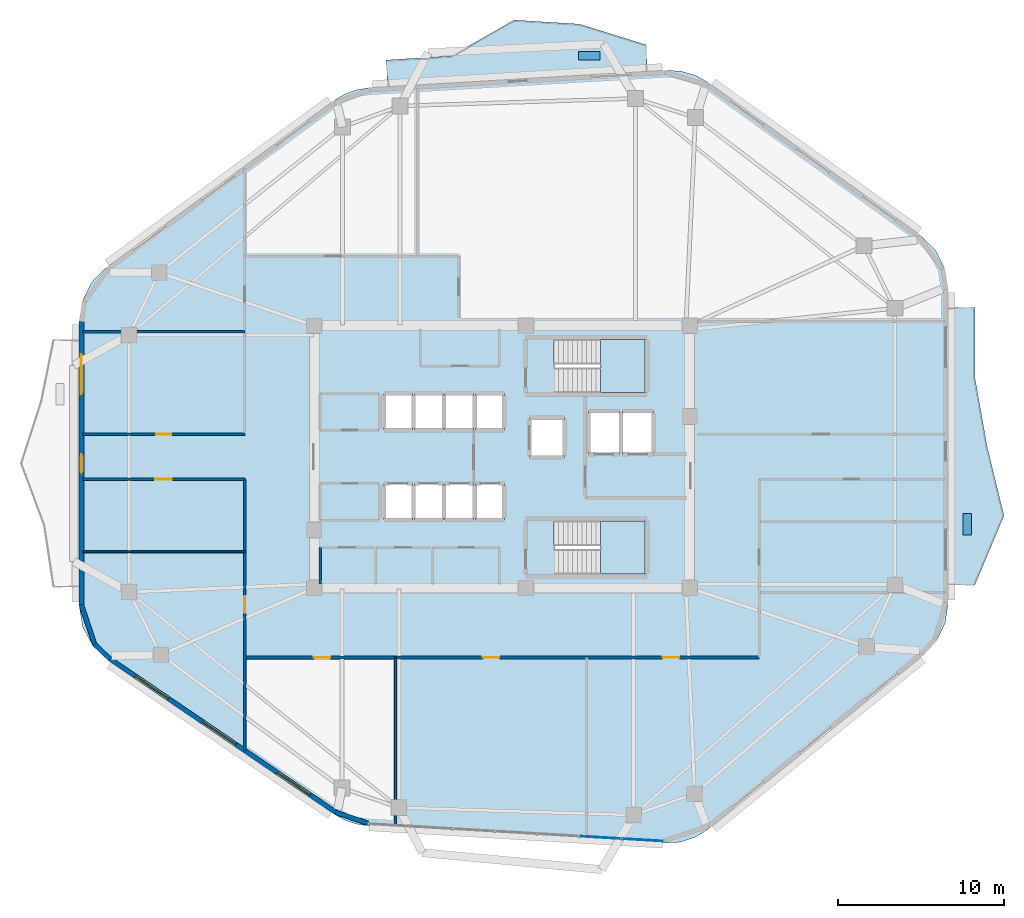
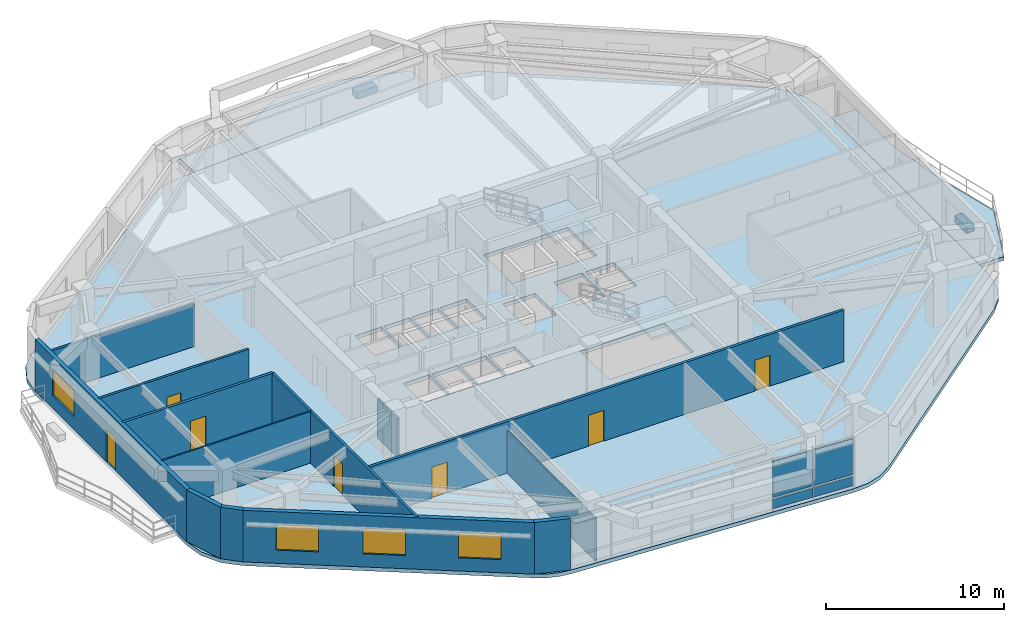
# One storey, part 8 of 14: 13 walls, 7 doors, 6 plates, 5 slabs, 4 windows, 11 openings, 3 elements without a shape of their own.
"""IFC4 building model written with IfcOpenShell, lengths in metres."""

import ifcopenshell
import ifcopenshell.guid

model = None  # the IFC model being written
_history = None  # IfcOwnerHistory: only IFC2X3 demands one
_inside = {}  # id of a spatial element -> (the spatial element, [elements in it])
_under = {}  # id of a project, library or spatial element -> (it, [spatial elements below it])
_declared = {}  # id of a project -> (the project, [libraries it declares])
_typed = {}  # id of a type object -> (the type object, [elements of that type])
_made_of = {}  # id of a material, layer set ... -> (it, [elements and type objects made of it])


def new_model(schema):
    """Start an empty IFC model of exactly this schema.

    Asked for "IFC4X3", IfcOpenShell would pick the latest addendum, in which some entities
    have other attributes; the version numbers below select the first issue.
    IFC2X3 requires an IfcOwnerHistory on every rooted entity: one is made here for all.
    """
    global model, _history
    if schema == "IFC4X3":
        model = ifcopenshell.file(schema_version=(4, 3, 0, 0))
    else:
        model = ifcopenshell.file(schema=schema)
    _inside.clear()
    _under.clear()
    _declared.clear()
    _typed.clear()
    _made_of.clear()
    _history = None
    if model.schema == "IFC2X3":
        org = make("IfcOrganization", Name="unknown")
        user = make(
            "IfcPersonAndOrganization",
            ThePerson=make("IfcPerson", FamilyName="unknown"),
            TheOrganization=org,
        )
        app = make(
            "IfcApplication",
            ApplicationDeveloper=org,
            Version="unknown",
            ApplicationFullName="unknown",
            ApplicationIdentifier="unknown",
        )
        _history = make(
            "IfcOwnerHistory",
            OwningUser=user,
            OwningApplication=app,
            ChangeAction="ADDED",
            CreationDate=0,
        )
    return model


def make(cls, **values):
    """One entity of the class cls with the attributes given. An attribute that is None is left unset."""
    return model.create_entity(
        cls, **{name: value for name, value in values.items() if value is not None}
    )


def rooted(cls, **values):
    """An entity with a GlobalId (a new one), such as an element, a storey or a relation."""
    return make(cls, GlobalId=ifcopenshell.guid.new(), OwnerHistory=_history, **values)


def si_unit(unit_type, name, prefix=None):
    """IfcSIUnit, for example si_unit("LENGTHUNIT", "METRE", prefix="MILLI")."""
    return make("IfcSIUnit", UnitType=unit_type, Prefix=prefix, Name=name)


def assignment(units):
    """IfcUnitAssignment: the units of a project."""
    return None if units is None else make("IfcUnitAssignment", Units=units)


def point(xyz):
    """IfcCartesianPoint."""
    return None if xyz is None else make("IfcCartesianPoint", Coordinates=xyz)


def direction(xyz):
    """IfcDirection."""
    return None if xyz is None else make("IfcDirection", DirectionRatios=xyz)


def frame(location, z_axis=None, x_axis=None):
    """IfcAxis2Placement3D, a coordinate frame: its origin and axes. An axis left out is left unset."""
    return make(
        "IfcAxis2Placement3D",
        Location=point(location),
        Axis=direction(z_axis),
        RefDirection=direction(x_axis),
    )


def frame_2d(location, x_axis=None):
    """IfcAxis2Placement2D, a coordinate frame in the plane: its origin and x axis."""
    return make(
        "IfcAxis2Placement2D", Location=point(location), RefDirection=direction(x_axis)
    )


def origin():
    """The frame at (0, 0, 0) with its axes left unset."""
    return frame((0.0, 0.0, 0.0))


def origin_2d():
    """The frame at (0, 0) in the plane with its x axis left unset."""
    return frame_2d((0.0, 0.0))


def place(relative_to, where):
    """IfcLocalPlacement: puts the frame where relative to a parent placement (None: the world)."""
    return make(
        "IfcLocalPlacement", PlacementRelTo=relative_to, RelativePlacement=where
    )


def context(
    kind, dimensions, precision=None, world=None, true_north=None, identifier=None
):
    """IfcGeometricRepresentationContext, for example the 3D "Model" context."""
    return make(
        "IfcGeometricRepresentationContext",
        ContextIdentifier=identifier,
        ContextType=kind,
        CoordinateSpaceDimension=dimensions,
        Precision=precision,
        WorldCoordinateSystem=world,
        TrueNorth=true_north,
    )


def subcontext(parent, identifier, kind, view, scale=None):
    """IfcGeometricRepresentationSubContext, for example "Body" below "Model"."""
    return make(
        "IfcGeometricRepresentationSubContext",
        ContextIdentifier=identifier,
        ContextType=kind,
        ParentContext=parent,
        TargetScale=scale,
        TargetView=view,
    )


def project(units=None, contexts=None):
    """IfcProject with its units and contexts."""
    return rooted(
        "IfcProject",
        Name="project",
        RepresentationContexts=contexts,
        UnitsInContext=assignment(units),
    )


def spatial(cls, under=None, at=None, **own):
    """A site, building, storey or space (cls), placed at a placement, below another one or the project."""
    s = rooted(cls, ObjectPlacement=at, **own)
    if under is not None:
        _under.setdefault(under.id(), (under, []))[1].append(s)
    return s


def polyline(points):
    """IfcPolyline through the points."""
    return make("IfcPolyline", Points=[point(p) for p in points])


def profile(cls, at=None, kind="AREA", **sizes):
    """A parametric profile (cls). Its sizes go by their IFC names, for example OverallWidth=200.0."""
    return make(cls, ProfileType=kind, Position=at, **sizes)


def rectangle(**sizes):
    """IfcRectangleProfileDef."""
    return profile("IfcRectangleProfileDef", **sizes)


def outline(outer, holes=None, kind="AREA"):
    """IfcArbitraryClosedProfileDef: a profile drawn as a closed curve; with holes, ...WithVoids."""
    if holes is None:
        return make("IfcArbitraryClosedProfileDef", ProfileType=kind, OuterCurve=outer)
    return make(
        "IfcArbitraryProfileDefWithVoids",
        ProfileType=kind,
        OuterCurve=outer,
        InnerCurves=holes,
    )


def extrude(swept, where, along, depth):
    """IfcExtrudedAreaSolid: the profile swept, set in the frame where, extruded along a direction by depth."""
    return make(
        "IfcExtrudedAreaSolid",
        SweptArea=swept,
        Position=where,
        ExtrudedDirection=direction(along),
        Depth=depth,
    )


def shape(context_of_items, identifier, shape_type, items):
    """IfcShapeRepresentation: the items that make up one representation, for example the "Body"."""
    return make(
        "IfcShapeRepresentation",
        ContextOfItems=context_of_items,
        RepresentationIdentifier=identifier,
        RepresentationType=shape_type,
        Items=items,
    )


def material(Name=None, Category=None):
    """IfcMaterial."""
    return make("IfcMaterial", Name=Name, Category=Category)


def layer(
    of_material, thickness, ventilated=None, Name=None, Category=None, Priority=None
):
    """IfcMaterialLayer: one layer of a wall or slab, of a material (None: an air gap)."""
    return make(
        "IfcMaterialLayer",
        Material=of_material,
        LayerThickness=thickness,
        IsVentilated=ventilated,
        Name=Name,
        Category=Category,
        Priority=Priority,
    )


def layer_set(layers, Name=None):
    """IfcMaterialLayerSet."""
    return make("IfcMaterialLayerSet", MaterialLayers=layers, LayerSetName=Name)


def made_of(thing, what):
    """Note that an element or type object is made of a material, layer set ...; save() writes the relation."""
    if what is not None:
        _made_of.setdefault(what.id(), (what, []))[1].append(thing)
    return thing


def type_object(cls, material=None, **own):
    """A type object (cls), such as IfcWallType, which elements share."""
    return made_of(rooted(cls, **own), material)


def element(
    cls,
    number,
    at=None,
    inside=None,
    cuts=None,
    type_object=None,
    material=None,
    context=None,
    identifier="Body",
    shape_type=None,
    held_by="IfcProductDefinitionShape",
    body=None,
    shapes=None,
    **own,
):
    """One element of the class cls, such as IfcWall. Its Tag is "e" and its number.

    at: its placement. inside: the storey or other place that contains it. cuts: it is an
    opening in that element (IfcRelVoidsElement). A single representation is given by context,
    identifier, shape_type and body (its items); several are given by shapes. held_by: the class
    of the entity that holds the representations. save() writes the other relations.
    """
    e = rooted(cls, Tag="e%d" % number, ObjectPlacement=at, **own)
    if body is not None:
        shapes = [shape(context, identifier, shape_type, body)]
    if shapes is not None:
        e.Representation = make(held_by, Representations=shapes)
    if inside is not None:
        _inside.setdefault(inside.id(), (inside, []))[1].append(e)
    if cuts is not None:
        rooted(
            "IfcRelVoidsElement", RelatingBuildingElement=cuts, RelatedOpeningElement=e
        )
    if type_object is not None:
        _typed.setdefault(type_object.id(), (type_object, []))[1].append(e)
    return made_of(e, material)


def fill(opening, filler):
    """IfcRelFillsElement: the door or window that sits in an opening."""
    return rooted(
        "IfcRelFillsElement",
        RelatingOpeningElement=opening,
        RelatedBuildingElement=filler,
    )


def aggregate(whole, parts):
    """IfcRelAggregates: a whole, such as a stair, and the parts it consists of."""
    return rooted("IfcRelAggregates", RelatingObject=whole, RelatedObjects=parts)


def save(model, path):
    """Write the relations noted so far, then the file.

    IfcRelAggregates (storeys below a building ...), IfcRelContainedInSpatialStructure (elements
    in a storey), IfcRelDefinesByType, IfcRelAssociatesMaterial and IfcRelDeclares: one each for
    every whole, place, type object, material and project.
    """
    for whole, parts in _under.values():
        aggregate(whole, parts)
    for where, things in _inside.values():
        rooted(
            "IfcRelContainedInSpatialStructure",
            RelatedElements=things,
            RelatingStructure=where,
        )
    for kind, things in _typed.values():
        rooted("IfcRelDefinesByType", RelatedObjects=things, RelatingType=kind)
    for what, things in _made_of.values():
        rooted("IfcRelAssociatesMaterial", RelatedObjects=things, RelatingMaterial=what)
    for by, libraries in _declared.values():
        rooted("IfcRelDeclares", RelatingContext=by, RelatedDefinitions=libraries)
    model.write(path)


model = new_model("IFC4")

# Units and contexts
model_context = context("Model", 3, precision=1e-05, world=origin(), true_north=direction((0.0, 1.0)))
body_context = subcontext(model_context, "Body", "Model", "MODEL_VIEW")
ifc_project = project(units=[si_unit("LENGTHUNIT", "METRE"), si_unit("AREAUNIT", "SQUARE_METRE"), si_unit("VOLUMEUNIT", "CUBIC_METRE"), si_unit("PLANEANGLEUNIT", "RADIAN"), si_unit("MASSUNIT", "GRAM", prefix="KILO")], contexts=[model_context])

# Site, building, storey
site_placement = place(None, origin())
site = spatial("IfcSite", under=ifc_project, at=site_placement, CompositionType="ELEMENT")
building_placement = place(site_placement, origin())
building = spatial("IfcBuilding", under=site, at=building_placement, Name="Zulverin Broadcast Headquarters", CompositionType="ELEMENT")
storey_placement = place(building_placement, frame((0.0, 0.0, 208.60009765625)))
storey = spatial("IfcBuildingStorey", under=building, at=storey_placement, Name="L53", CompositionType="ELEMENT", Elevation=208.60009765625)

# Curtain wall, plates
ifc_material_1 = material(Name="Waist wind-pressure unitised curtain wall", Category="aluminium")
curtain_wall_type = type_object("IfcCurtainWallType", Name="CW-TWR-WST", PredefinedType="USERDEFINED", material=ifc_material_1)
curtain_wall_placement = place(storey_placement, origin())
curtain_wall = element("IfcCurtainWall", 1, at=curtain_wall_placement, inside=storey, type_object=curtain_wall_type, Name="L53 Unitised Curtain Wall CW-L53-E1", ObjectType="UNITISED CURTAIN WALL", PredefinedType="USERDEFINED")
ifc_material_2 = material(Name="Low-E double-glazed pale-silver vision glass", Category="glass")
ifc_layer_1 = layer(ifc_material_2, 0.035888671875, Name="Low-E double-glazed pale-silver vision glass", Category="glass")
ifc_layer_set_1 = layer_set([ifc_layer_1], Name="Low-E double-glazed pale-silver vision glass")
plate_type_1 = type_object("IfcPlateType", Name="CW-PNL-GLZ", PredefinedType="CURTAIN_PANEL", material=ifc_layer_set_1)
plate_1_placement = place(storey_placement, frame((42.912109375, 2.334716796875, 0.91455078125), z_axis=(0.0, 0.0, 1.0), x_axis=(0.998274435348, -0.058720965002, 0.0)))
plate_1 = element("IfcPlate", 2, at=plate_1_placement, type_object=plate_type_1, Name="CW-L53-E1 Vision Panel 05", PredefinedType="CURTAIN_PANEL", context=body_context, shape_type="SweptSolid", body=[
    extrude(rectangle(XDim=2.500244140625, YDim=0.035888671875, at=origin_2d()), origin(), (0.0, 0.0, 1.0), 2.4853515625),
])
plate_2_placement = place(storey_placement, frame((45.447998046875, 2.185302734375, 0.91455078125), z_axis=(0.0, 0.0, 1.0), x_axis=(0.998274435348, -0.058720965002, 0.0)))
plate_2 = element("IfcPlate", 3, at=plate_2_placement, type_object=plate_type_1, Name="CW-L53-E1 Vision Panel 06", PredefinedType="CURTAIN_PANEL", context=body_context, shape_type="SweptSolid", body=[
    extrude(rectangle(XDim=2.500244140625, YDim=0.035888671875, at=origin_2d()), origin(), (0.0, 0.0, 1.0), 2.4853515625),
])
ifc_material_3 = material(Name="Insulated brushed pale-aluminium spandrel cassette", Category="aluminium")
ifc_layer_2 = layer(ifc_material_3, 0.050048828125, Name="Insulated brushed pale-aluminium spandrel cassette", Category="aluminium")
ifc_layer_set_2 = layer_set([ifc_layer_2], Name="Insulated brushed pale-aluminium spandrel cassette")
plate_type_2 = type_object("IfcPlateType", Name="CW-PNL-SPN", PredefinedType="CURTAIN_PANEL", material=ifc_layer_set_2)
plate_3_placement = place(storey_placement, frame((42.912109375, 2.334716796875, 0.139892578125), z_axis=(0.0, 0.0, 1.0), x_axis=(0.998274435348, -0.058720965002, 0.0)))
plate_3 = element("IfcPlate", 4, at=plate_3_placement, type_object=plate_type_2, Name="CW-L53-E1 Spandrel Cassette 05", PredefinedType="CURTAIN_PANEL", context=body_context, shape_type="SweptSolid", body=[
    extrude(rectangle(XDim=2.500244140625, YDim=0.050048828125, at=origin_2d()), origin(), (0.0, 0.0, 1.0), 0.64453125),
])
plate_4_placement = place(storey_placement, frame((45.447998046875, 2.185302734375, 0.139892578125), z_axis=(0.0, 0.0, 1.0), x_axis=(0.998274435348, -0.058720965002, 0.0)))
plate_4 = element("IfcPlate", 5, at=plate_4_placement, type_object=plate_type_2, Name="CW-L53-E1 Spandrel Cassette 06", PredefinedType="CURTAIN_PANEL", context=body_context, shape_type="SweptSolid", body=[
    extrude(rectangle(XDim=2.500244140625, YDim=0.050048828125, at=origin_2d()), origin(), (0.0, 0.0, 1.0), 0.64453125),
])
aggregate(curtain_wall, [plate_3, plate_1, plate_4, plate_2])

# Plates
ifc_material_4 = material(Name="Precast concrete C45/55", Category="concrete")
ifc_layer_3 = layer(ifc_material_4, 0.449951171875, Name="Precast concrete C45/55", Category="concrete")
ifc_layer_set_3 = layer_set([ifc_layer_3], Name="Precast concrete C45/55")
plate_type_3 = type_object("IfcPlateType", Name="PT-01_PRECAST_GFRC_TREE_PLANTER", PredefinedType="USERDEFINED", material=ifc_layer_set_3)
for number, where, z_axis, x_axis, name in (
    (6, (64.949951171875, 21.1591796875, -0.0048828125), (0.0, 0.0, 1.0), (0.0, 1.0, 0.0), "L53 Precast GFRC Tree Planter BAL_E"),
    (7, (42.239013671875, 49.298095703125, -0.0048828125), (0.0, 0.0, 1.0), (1.0, 0.0, 0.0), "L53 Precast GFRC Tree Planter BAL_N"),
):
    element("IfcPlate", number, at=place(storey_placement, frame(where, z_axis=z_axis, x_axis=x_axis)), inside=storey, type_object=plate_type_3, Name=name, ObjectType="PLANTER", PredefinedType="USERDEFINED", context=body_context, shape_type="SweptSolid", body=[
        extrude(rectangle(XDim=1.300048828125, YDim=0.5, at=origin_2d()), origin(), (0.0, 0.0, 1.0), 0.449951171875),
    ])

# Slabs
ifc_material_5 = material(Name="Concrete C40/50", Category="concrete")
ifc_layer_4 = layer(ifc_material_5, 0.260009765625, Name="Concrete C40/50", Category="concrete")
ifc_layer_set_4 = layer_set([ifc_layer_4], Name="Concrete C40/50")
slab_type_1 = type_object("IfcSlabType", Name="SLB-BAL-260", PredefinedType="FLOOR", material=ifc_layer_set_4)
slab_1_placement = place(storey_placement, frame((0.0, 0.0, -0.260009765625)))
element("IfcSlab", 8, at=slab_1_placement, inside=storey, type_object=slab_type_1, Name="L53 Cantilevered Planted Balcony Slab BAL_E", PredefinedType="FLOOR", context=body_context, shape_type="SweptSolid", body=[
    extrude(outline(polyline([(63.800048828125, 34.166259765625), (63.800048828125, 17.490478515625), (65.39990234375, 17.490478515625), (67.154052734375, 21.6591796875), (66.14111328125, 25.828369140625), (65.39990234375, 29.997314453125), (65.39990234375, 34.166259765625), (63.800048828125, 34.166259765625)])), origin(), (0.0, 0.0, 1.0), 0.260009765625),
])
slab_2_placement = place(storey_placement, frame((0.0, 0.0, -0.260009765625)))
element("IfcSlab", 9, at=slab_2_placement, inside=storey, type_object=slab_type_1, Name="L53 Cantilevered Planted Balcony Slab BAL_N", PredefinedType="FLOOR", context=body_context, shape_type="SweptSolid", body=[
    extrude(outline(polyline([(30.1337890625, 47.43408203125), (45.739990234375, 48.35205078125), (45.64599609375, 49.94921875), (41.65771484375, 51.192138671875), (37.728515625, 51.43701171875), (33.940673828125, 49.27392578125), (30.039794921875, 49.03125), (30.1337890625, 47.43408203125)])), origin(), (0.0, 0.0, 1.0), 0.260009765625),
])

# Stair, slab
stair_type = type_object("IfcStairType", Name="ST-CORE-1500", PredefinedType="HALF_TURN_STAIR", material=ifc_material_5)
stair_1_placement = place(storey_placement, origin())
stair_1 = element("IfcStair", 10, at=stair_1_placement, inside=storey, type_object=stair_type, Name="L53 Core Exit Stair ST-1", PredefinedType="HALF_TURN_STAIR")
ifc_layer_5 = layer(ifc_material_5, 0.199951171875, Name="Concrete C40/50", Category="concrete")
ifc_layer_set_5 = layer_set([ifc_layer_5], Name="Concrete C40/50")
slab_type_2 = type_object("IfcSlabType", Name="SLB-ST-LND200", PredefinedType="LANDING", material=ifc_layer_set_5)
slab_3_placement = place(storey_placement, frame((0.0, 0.0, 1.699951171875)))
slab_3 = element("IfcSlab", 11, at=slab_3_placement, type_object=slab_type_2, Name="ST-1 landing 1", PredefinedType="LANDING", context=body_context, shape_type="SweptSolid", body=[
    extrude(outline(polyline([(42.929931640625, 29.050048828125), (45.60009765625, 29.050048828125), (45.60009765625, 32.25), (42.929931640625, 32.25), (42.929931640625, 29.050048828125)])), origin(), (0.0, 0.0, 1.0), 0.199951171875),
])
aggregate(stair_1, [slab_3])

stair_2_placement = place(storey_placement, origin())
stair_2 = element("IfcStair", 12, at=stair_2_placement, inside=storey, type_object=stair_type, Name="L53 Core Exit Stair ST-2", PredefinedType="HALF_TURN_STAIR")
slab_4_placement = place(storey_placement, frame((0.0, 0.0, 1.699951171875)))
slab_4 = element("IfcSlab", 13, at=slab_4_placement, type_object=slab_type_2, Name="ST-2 landing 1", PredefinedType="LANDING", context=body_context, shape_type="SweptSolid", body=[
    extrude(outline(polyline([(42.929931640625, 18.14990234375), (45.60009765625, 18.14990234375), (45.60009765625, 21.35009765625), (42.929931640625, 21.35009765625), (42.929931640625, 18.14990234375)])), origin(), (0.0, 0.0, 1.0), 0.199951171875),
])
aggregate(stair_2, [slab_4])

# Slab
ifc_layer_6 = layer(ifc_material_5, 0.260009765625, Name="Concrete C40/50", Category="concrete")
ifc_layer_set_6 = layer_set([ifc_layer_6], Name="Concrete C40/50")
slab_type_3 = type_object("IfcSlabType", Name="SLB-TWR-260", PredefinedType="FLOOR", material=ifc_layer_set_6)
slab_5_placement = place(storey_placement, frame((0.0, 0.0, -0.260009765625)))
element("IfcSlab", 14, at=slab_5_placement, inside=storey, type_object=slab_type_3, Name="L53 Main Structural Floor Slab", PredefinedType="FLOOR", context=body_context, shape_type="SweptSolid", body=[
    extrude(outline(polyline([(26.943603515625, 3.72021484375), (27.570068359375, 3.3720703125), (28.24853515625, 3.14111328125), (28.95751953125, 3.03515625), (46.708984375, 1.990966796875), (47.690185546875, 2.05419921875), (48.626220703125, 2.35498046875), (49.46044921875, 2.875), (62.316650390625, 13.28125), (63.11572265625, 14.1533203125), (63.625, 15.220703125), (63.800048828125, 16.390380859375), (63.800048828125, 35.26611328125), (63.602294921875, 36.50830078125), (63.02880859375, 37.627197265625), (62.13623046875, 38.51318359375), (49.408935546875, 47.67041015625), (48.61669921875, 48.113525390625), (47.74462890625, 48.36669921875), (46.837890625, 48.41650390625), (29.03564453125, 47.369384765625), (28.27978515625, 47.251708984375), (27.560302734375, 46.9921875), (26.9033203125, 46.6005859375), (13.23291015625, 36.564697265625), (12.356201171875, 35.680908203125), (11.793701171875, 34.570068359375), (11.60009765625, 33.34033203125), (11.60009765625, 16.267578125), (11.808837890625, 14.991943359375), (12.413818359375, 13.849365234375), (13.351318359375, 12.95947265625), (26.943603515625, 3.72021484375)]), holes=[polyline([(40.155029296875, 30.75), (40.130126953125, 30.75), (40.130126953125, 32.25), (45.60009765625, 32.25), (45.60009765625, 29.050048828125), (40.155029296875, 29.050048828125), (40.155029296875, 30.75)]), polyline([(40.155029296875, 19.85009765625), (40.130126953125, 19.85009765625), (40.130126953125, 21.35009765625), (45.60009765625, 21.35009765625), (45.60009765625, 18.14990234375), (40.155029296875, 18.14990234375), (40.155029296875, 19.85009765625)]), polyline([(29.89990234375, 21.39990234375), (31.6201171875, 21.39990234375), (31.6201171875, 23.60009765625), (29.89990234375, 23.60009765625), (29.89990234375, 21.39990234375)]), polyline([(31.739990234375, 21.39990234375), (33.4599609375, 21.39990234375), (33.4599609375, 23.60009765625), (31.739990234375, 23.60009765625), (31.739990234375, 21.39990234375)]), polyline([(33.580078125, 21.39990234375), (35.300048828125, 21.39990234375), (35.300048828125, 23.60009765625), (33.580078125, 23.60009765625), (33.580078125, 21.39990234375)]), polyline([(35.419921875, 21.39990234375), (37.139892578125, 21.39990234375), (37.139892578125, 23.60009765625), (35.419921875, 23.60009765625), (35.419921875, 21.39990234375)]), polyline([(29.89990234375, 26.800048828125), (31.6201171875, 26.800048828125), (31.6201171875, 29.0), (29.89990234375, 29.0), (29.89990234375, 26.800048828125)]), polyline([(31.739990234375, 26.800048828125), (33.4599609375, 26.800048828125), (33.4599609375, 29.0), (31.739990234375, 29.0), (31.739990234375, 26.800048828125)]), polyline([(33.580078125, 26.800048828125), (35.300048828125, 26.800048828125), (35.300048828125, 29.0), (33.580078125, 29.0), (33.580078125, 26.800048828125)]), polyline([(35.419921875, 26.800048828125), (37.139892578125, 26.800048828125), (37.139892578125, 29.0), (35.419921875, 29.0), (35.419921875, 26.800048828125)]), polyline([(42.199951171875, 25.35009765625), (44.050048828125, 25.35009765625), (44.050048828125, 27.949951171875), (42.199951171875, 27.949951171875), (42.199951171875, 25.35009765625)]), polyline([(44.25, 25.35009765625), (46.10009765625, 25.35009765625), (46.10009765625, 27.949951171875), (44.25, 27.949951171875), (44.25, 25.35009765625)]), polyline([(38.64990234375, 25.14990234375), (40.75, 25.14990234375), (40.75, 27.550048828125), (38.64990234375, 27.550048828125), (38.64990234375, 25.14990234375)])]), origin(), (0.0, 0.0, 1.0), 0.260009765625),
])

# Wall, openings, door, window
ifc_material_6 = material(Name="Insulated pale-metal clad concrete spandrel C40/50", Category="concrete")
ifc_layer_7 = layer(ifc_material_6, 0.280029296875, Name="Insulated pale-metal clad concrete spandrel C40/50", Category="concrete")
ifc_layer_set_7 = layer_set([ifc_layer_7], Name="Insulated pale-metal clad concrete spandrel C40/50")
wall_type_1 = type_object("IfcWallType", Name="WL-EXT-280", PredefinedType="STANDARD", material=ifc_layer_set_7)
wall_1_placement = place(storey_placement, frame((11.739990234375, 33.34033203125, 0.0), z_axis=(0.0, 0.0, 1.0), x_axis=(0.0, -1.0, 0.0)))
wall_1 = element("IfcWall", 15, at=wall_1_placement, inside=storey, type_object=wall_type_1, Name="L53 Pale-Metal Clad Spandrel Wall 7", PredefinedType="STANDARD", context=body_context, shape_type="SweptSolid", body=[
    extrude(rectangle(XDim=17.07275390625, YDim=0.280029296875, at=frame_2d((8.536376953125, 0.0))), origin(), (0.0, 0.0, 1.0), 3.539794921875),
])
opening_1_placement = place(wall_1_placement, frame((7.986328125, 0.0, 0.0)))
opening_1 = element("IfcOpeningElement", 16, at=opening_1_placement, cuts=wall_1, Name="Opening D-L53-TR7", PredefinedType="OPENING", context=body_context, shape_type="SweptSolid", body=[
    extrude(rectangle(XDim=1.10009765625, YDim=2.199951171875, at=frame_2d((0.550048828125, 1.10009765625))), frame((0.0, 0.14990234375, 0.0), z_axis=(0.0, -1.0, 0.0), x_axis=(1.0, 0.0, 0.0)), (0.0, 0.0, 1.0), 0.300048828125),
])
opening_2_placement = place(wall_1_placement, frame((1.978759765625, 0.0, 0.89990234375)))
opening_2 = element("IfcOpeningElement", 17, at=opening_2_placement, cuts=wall_1, Name="Opening W-L53-E71", PredefinedType="OPENING", context=body_context, shape_type="SweptSolid", body=[
    extrude(rectangle(XDim=2.39990234375, YDim=1.75, at=frame_2d((1.199951171875, 0.875))), frame((0.0, 0.14990234375, 0.0), z_axis=(0.0, -1.0, 0.0), x_axis=(1.0, 0.0, 0.0)), (0.0, 0.0, 1.0), 0.300048828125),
])
ifc_material_7 = material(Name="Thermally broken aluminium glazed", Category="aluminium")
door_type_1 = type_object("IfcDoorType", Name="DR-TERR-1100", OperationType="SINGLE_SWING_RIGHT", PredefinedType="DOOR", material=ifc_material_7)
door_1_placement = place(opening_1_placement, origin())
door_1 = element("IfcDoor", 18, at=door_1_placement, inside=storey, type_object=door_type_1, Name="L53 Planted Terrace Glazed Access Door 7", OperationType="SINGLE_SWING_RIGHT", OverallHeight=2.199951171875, OverallWidth=1.10009765625, PredefinedType="DOOR", context=body_context, shape_type="SweptSolid", body=[
    extrude(rectangle(XDim=1.10009765625, YDim=2.199951171875, at=frame_2d((0.550048828125, 1.10009765625))), frame((0.0, 0.02490234375, 0.0), z_axis=(0.0, -1.0, 0.0), x_axis=(1.0, 0.0, 0.0)), (0.0, 0.0, 1.0), 0.050048828125),
])
fill(opening_1, door_1)
ifc_material_8 = material(Name="Pale anodized aluminium frame with solar-control low-E double glazing", Category="aluminium")
window_type = type_object("IfcWindowType", Name="WIN-RIB-2400", PartitioningType="SINGLE_PANEL", PredefinedType="WINDOW", material=ifc_material_8)
window_1_placement = place(opening_2_placement, origin())
window_1 = element("IfcWindow", 19, at=window_1_placement, inside=storey, type_object=window_type, Name="L53 Ribbon Glazing Window 7 1", OverallHeight=1.75, OverallWidth=2.39990234375, PartitioningType="SINGLE_PANEL", PredefinedType="WINDOW", context=body_context, shape_type="SweptSolid", body=[
    extrude(rectangle(XDim=2.39990234375, YDim=1.75, at=frame_2d((1.199951171875, 0.875))), frame((0.0, 0.030029296875, 0.0), z_axis=(0.0, -1.0, 0.0), x_axis=(1.0, 0.0, 0.0)), (0.0, 0.0, 1.0), 0.06005859375),
])
fill(opening_2, window_1)

# Wall, openings, windows
wall_2_placement = place(storey_placement, frame((13.429931640625, 13.0751953125, 0.0), z_axis=(0.0, 0.0, 1.0), x_axis=(0.827025402003, -0.562164552815, 0.0)))
wall_2 = element("IfcWall", 20, at=wall_2_placement, inside=storey, type_object=wall_type_1, Name="L53 Pale-Metal Clad Spandrel Wall 8", PredefinedType="STANDARD", context=body_context, shape_type="SweptSolid", body=[
    extrude(rectangle(XDim=16.43505859375, YDim=0.280029296875, at=frame_2d((8.217529296875, 0.0))), origin(), (0.0, 0.0, 1.0), 3.539794921875),
])
opening_3_placement = place(wall_2_placement, frame((1.87255859375, 0.0, 0.89990234375)))
opening_3 = element("IfcOpeningElement", 21, at=opening_3_placement, cuts=wall_2, Name="Opening W-L53-E81", PredefinedType="OPENING", context=body_context, shape_type="SweptSolid", body=[
    extrude(rectangle(XDim=2.39990234375, YDim=1.75, at=frame_2d((1.199951171875, 0.875))), frame((0.0, 0.14990234375, 0.0), z_axis=(0.0, -1.0, 0.0), x_axis=(1.0, 0.0, 0.0)), (0.0, 0.0, 1.0), 0.300048828125),
])
opening_4_placement = place(wall_2_placement, frame((6.767578125, 0.0, 0.89990234375)))
opening_4 = element("IfcOpeningElement", 22, at=opening_4_placement, cuts=wall_2, Name="Opening W-L53-E82", PredefinedType="OPENING", context=body_context, shape_type="SweptSolid", body=[
    extrude(rectangle(XDim=2.39990234375, YDim=1.75, at=frame_2d((1.199951171875, 0.875))), frame((0.0, 0.14990234375, 0.0), z_axis=(0.0, -1.0, 0.0), x_axis=(1.0, 0.0, 0.0)), (0.0, 0.0, 1.0), 0.300048828125),
])
opening_5_placement = place(wall_2_placement, frame((12.16259765625, 0.0, 0.89990234375)))
opening_5 = element("IfcOpeningElement", 23, at=opening_5_placement, cuts=wall_2, Name="Opening W-L53-E83", PredefinedType="OPENING", context=body_context, shape_type="SweptSolid", body=[
    extrude(rectangle(XDim=2.39990234375, YDim=1.75, at=frame_2d((1.199951171875, 0.875))), frame((0.0, 0.14990234375, 0.0), z_axis=(0.0, -1.0, 0.0), x_axis=(1.0, 0.0, 0.0)), (0.0, 0.0, 1.0), 0.300048828125),
])
window_2_placement = place(opening_3_placement, origin())
window_2 = element("IfcWindow", 24, at=window_2_placement, inside=storey, type_object=window_type, Name="L53 Ribbon Glazing Window 8 1", OverallHeight=1.75, OverallWidth=2.39990234375, PartitioningType="SINGLE_PANEL", PredefinedType="WINDOW", context=body_context, shape_type="SweptSolid", body=[
    extrude(rectangle(XDim=2.39990234375, YDim=1.75, at=frame_2d((1.199951171875, 0.875))), frame((0.0, 0.030029296875, 0.0), z_axis=(0.0, -1.0, 0.0), x_axis=(1.0, 0.0, 0.0)), (0.0, 0.0, 1.0), 0.06005859375),
])
fill(opening_3, window_2)
window_3_placement = place(opening_4_placement, origin())
window_3 = element("IfcWindow", 25, at=window_3_placement, inside=storey, type_object=window_type, Name="L53 Ribbon Glazing Window 8 2", OverallHeight=1.75, OverallWidth=2.39990234375, PartitioningType="SINGLE_PANEL", PredefinedType="WINDOW", context=body_context, shape_type="SweptSolid", body=[
    extrude(rectangle(XDim=2.39990234375, YDim=1.75, at=frame_2d((1.199951171875, 0.875))), frame((0.0, 0.030029296875, 0.0), z_axis=(0.0, -1.0, 0.0), x_axis=(1.0, 0.0, 0.0)), (0.0, 0.0, 1.0), 0.06005859375),
])
fill(opening_4, window_3)
window_4_placement = place(opening_5_placement, origin())
window_4 = element("IfcWindow", 26, at=window_4_placement, inside=storey, type_object=window_type, Name="L53 Ribbon Glazing Window 8 3", OverallHeight=1.75, OverallWidth=2.39990234375, PartitioningType="SINGLE_PANEL", PredefinedType="WINDOW", context=body_context, shape_type="SweptSolid", body=[
    extrude(rectangle(XDim=2.39990234375, YDim=1.75, at=frame_2d((1.199951171875, 0.875))), frame((0.0, 0.030029296875, 0.0), z_axis=(0.0, -1.0, 0.0), x_axis=(1.0, 0.0, 0.0)), (0.0, 0.0, 1.0), 0.06005859375),
])
fill(opening_5, window_4)

# Walls
wall_3_placement = place(storey_placement, frame((11.732666015625, 16.312255859375, 0.0), z_axis=(0.0, 0.0, 1.0), x_axis=(0.318924860995, -0.947780002447, 0.0)))
element("IfcWall", 27, at=wall_3_placement, inside=storey, type_object=wall_type_1, Name="L53 Wind-Shaped Corner Spandrel Wall 7-1", PredefinedType="STANDARD", context=body_context, shape_type="SweptSolid", body=[
    extrude(rectangle(XDim=2.551513671875, YDim=0.280029296875, at=frame_2d((1.27587890625, 0.0))), origin(), (0.0, 0.0, 1.0), 3.539794921875),
])
wall_4_placement = place(storey_placement, frame((12.510009765625, 13.950927734375, 0.0), z_axis=(0.0, 0.0, 1.0), x_axis=(0.725371815671, -0.688357268451, 0.0)))
element("IfcWall", 28, at=wall_4_placement, inside=storey, type_object=wall_type_1, Name="L53 Wind-Shaped Corner Spandrel Wall 7-2", PredefinedType="STANDARD", context=body_context, shape_type="SweptSolid", body=[
    extrude(rectangle(XDim=1.292724609375, YDim=0.280029296875, at=frame_2d((0.646484375, 0.0))), origin(), (0.0, 0.0, 1.0), 3.539794921875),
])
wall_5_placement = place(storey_placement, frame((26.98876953125, 3.852783203125, 0.0), z_axis=(0.0, 0.0, 1.0), x_axis=(0.946723658879, -0.322047067553, 0.0)))
element("IfcWall", 29, at=wall_5_placement, inside=storey, type_object=wall_type_1, Name="L53 Wind-Shaped Corner Spandrel Wall 8-1", PredefinedType="STANDARD", context=body_context, shape_type="SweptSolid", body=[
    extrude(rectangle(XDim=2.06201171875, YDim=0.280029296875, at=frame_2d((1.031005859375, 0.0))), origin(), (0.0, 0.0, 1.0), 3.539794921875),
])
ifc_material_9 = material(Name="Fire-rated acoustic laminated glass screen", Category="glass")
ifc_layer_8 = layer(ifc_material_9, 0.10009765625, Name="Fire-rated acoustic laminated glass screen", Category="glass")
ifc_layer_set_8 = layer_set([ifc_layer_8], Name="Fire-rated acoustic laminated glass screen")
wall_type_2 = type_object("IfcWallType", Name="WL-GLAZ-100", PredefinedType="PARTITIONING", material=ifc_layer_set_8)
wall_6_placement = place(storey_placement, frame((30.60009765625, 3.1435546875, 0.0), z_axis=(0.0, 0.0, 1.0), x_axis=(0.0, 1.0, 0.0)))
element("IfcWall", 30, at=wall_6_placement, inside=storey, type_object=wall_type_2, Name="L53 Room Partition Wall RP-05", PredefinedType="PARTITIONING", context=body_context, shape_type="SweptSolid", body=[
    extrude(rectangle(XDim=10.00634765625, YDim=0.10009765625, at=frame_2d((5.003173828125, 0.0))), origin(), (0.0, 0.0, 1.0), 2.922607421875),
])
wall_7_placement = place(storey_placement, frame((11.804931640625, 19.5, 0.0), z_axis=(0.0, 0.0, 1.0), x_axis=(1.0, 0.0, 0.0)))
element("IfcWall", 31, at=wall_7_placement, inside=storey, type_object=wall_type_2, Name="L53 Room Partition Wall RP-10", PredefinedType="PARTITIONING", context=body_context, shape_type="SweptSolid", body=[
    extrude(rectangle(XDim=9.7451171875, YDim=0.10009765625, at=frame_2d((4.87255859375, 0.0))), origin(), (0.0, 0.0, 1.0), 3.539794921875),
])
ifc_material_10 = material(Name="Fire-rated gypsum stud partition", Category="gypsum")
ifc_layer_9 = layer(ifc_material_10, 0.14990234375, Name="Fire-rated gypsum stud partition", Category="gypsum")
ifc_layer_set_9 = layer_set([ifc_layer_9], Name="Fire-rated gypsum stud partition")
wall_type_3 = type_object("IfcWallType", Name="WL-PART-150", PredefinedType="PARTITIONING", material=ifc_layer_set_9)
wall_8_placement = place(storey_placement, frame((26.070068359375, 17.550048828125, 0.0), z_axis=(0.0, 0.0, 1.0), x_axis=(0.0, 1.0, 0.0)))
element("IfcWall", 32, at=wall_8_placement, inside=storey, type_object=wall_type_3, Name="L53 Core Male WC West Wall", PredefinedType="PARTITIONING", context=body_context, shape_type="SweptSolid", body=[
    extrude(rectangle(XDim=2.199951171875, YDim=0.14990234375, at=frame_2d((1.10009765625, 0.0))), origin(), (0.0, 0.0, 1.0), 2.639892578125),
])

# Wall, opening, door
wall_9_placement = place(storey_placement, frame((21.550048828125, 7.526611328125, 0.0), z_axis=(0.0, 0.0, 1.0), x_axis=(0.0, 1.0, 0.0)))
wall_9 = element("IfcWall", 33, at=wall_9_placement, inside=storey, type_object=wall_type_3, Name="L53 Gallery Partition Wall CG-06", PredefinedType="PARTITIONING", context=body_context, shape_type="SweptSolid", body=[
    extrude(rectangle(XDim=16.323486328125, YDim=0.14990234375, at=frame_2d((8.16162109375, 0.0))), origin(), (0.0, 0.0, 1.0), 3.539794921875),
])
opening_6_placement = place(wall_9_placement, frame((8.298583984375, 0.0, 0.0)))
opening_6 = element("IfcOpeningElement", 34, at=opening_6_placement, cuts=wall_9, Name="Opening D-L53-06", PredefinedType="OPENING", context=body_context, shape_type="SweptSolid", body=[
    extrude(rectangle(XDim=1.0, YDim=2.1201171875, at=frame_2d((0.5, 1.06005859375))), frame((0.0, 0.0849609375, 0.0), z_axis=(0.0, -1.0, 0.0), x_axis=(1.0, 0.0, 0.0)), (0.0, 0.0, 1.0), 0.169921875),
])
ifc_material_11 = material(Name="Hardwood veneer acoustic leaf", Category="wood")
door_type_2 = type_object("IfcDoorType", Name="DR-OFF-1000", OperationType="SINGLE_SWING_LEFT", PredefinedType="DOOR", material=ifc_material_11)
door_2_placement = place(opening_6_placement, origin())
door_2 = element("IfcDoor", 35, at=door_2_placement, inside=storey, type_object=door_type_2, Name="L53 Legal Office Door", OperationType="SINGLE_SWING_LEFT", OverallHeight=2.1201171875, OverallWidth=1.0, PredefinedType="DOOR", context=body_context, shape_type="SweptSolid", body=[
    extrude(rectangle(XDim=1.0, YDim=2.1201171875, at=frame_2d((0.5, 1.06005859375))), frame((0.0, 0.02490234375, 0.0), z_axis=(0.0, -1.0, 0.0), x_axis=(1.0, 0.0, 0.0)), (0.0, 0.0, 1.0), 0.050048828125),
])
fill(opening_6, door_2)

wall_10_placement = place(storey_placement, frame((11.804931640625, 26.550048828125, 0.0), z_axis=(0.0, 0.0, 1.0), x_axis=(1.0, 0.0, 0.0)))
wall_10 = element("IfcWall", 36, at=wall_10_placement, inside=storey, type_object=wall_type_3, Name="L53 Gallery Partition Wall CG-14", PredefinedType="PARTITIONING", context=body_context, shape_type="SweptSolid", body=[
    extrude(rectangle(XDim=9.7451171875, YDim=0.14990234375, at=frame_2d((4.87255859375, 0.0))), origin(), (0.0, 0.0, 1.0), 3.539794921875),
])
opening_7_placement = place(wall_10_placement, frame((4.422607421875, 0.0, 0.0)))
opening_7 = element("IfcOpeningElement", 37, at=opening_7_placement, cuts=wall_10, Name="Opening D-L53-08", PredefinedType="OPENING", context=body_context, shape_type="SweptSolid", body=[
    extrude(rectangle(XDim=0.89990234375, YDim=2.10009765625, at=frame_2d((0.449951171875, 1.050048828125))), frame((0.0, 0.0849609375, 0.0), z_axis=(0.0, -1.0, 0.0), x_axis=(1.0, 0.0, 0.0)), (0.0, 0.0, 1.0), 0.169921875),
])
ifc_material_12 = material(Name="Fire-rated hardwood veneer timber leaf", Category="wood")
door_type_3 = type_object("IfcDoorType", Name="DR-ROOM-900", OperationType="SINGLE_SWING_RIGHT", PredefinedType="DOOR", material=ifc_material_12)
door_3_placement = place(opening_7_placement, origin())
door_3 = element("IfcDoor", 38, at=door_3_placement, inside=storey, type_object=door_type_3, Name="L53 Conference Room Door", OperationType="SINGLE_SWING_LEFT", OverallHeight=2.10009765625, OverallWidth=0.89990234375, PredefinedType="DOOR", context=body_context, shape_type="SweptSolid", body=[
    extrude(rectangle(XDim=0.89990234375, YDim=2.10009765625, at=frame_2d((0.449951171875, 1.050048828125))), frame((0.0, 0.02490234375, 0.0), z_axis=(0.0, -1.0, 0.0), x_axis=(1.0, 0.0, 0.0)), (0.0, 0.0, 1.0), 0.050048828125),
])
fill(opening_7, door_3)

# Wall
wall_11_placement = place(storey_placement, frame((11.804931640625, 32.699951171875, 0.0), z_axis=(0.0, 0.0, 1.0), x_axis=(1.0, 0.0, 0.0)))
element("IfcWall", 39, at=wall_11_placement, inside=storey, type_object=wall_type_3, Name="L53 Room Partition Wall RP-16", PredefinedType="PARTITIONING", context=body_context, shape_type="SweptSolid", body=[
    extrude(rectangle(XDim=9.7451171875, YDim=0.14990234375, at=frame_2d((4.87255859375, 0.0))), origin(), (0.0, 0.0, 1.0), 2.922607421875),
])

# Wall, openings, doors
ifc_material_13 = material(Name="Fire-rated acoustic stud wall", Category="gypsum")
ifc_layer_10 = layer(ifc_material_13, 0.175048828125, Name="Fire-rated acoustic stud wall", Category="gypsum")
ifc_layer_set_10 = layer_set([ifc_layer_10], Name="Fire-rated acoustic stud wall")
wall_type_4 = type_object("IfcWallType", Name="WL-PART-175", PredefinedType="PARTITIONING", material=ifc_layer_set_10)
wall_12_placement = place(storey_placement, frame((21.550048828125, 13.14990234375, 0.0), z_axis=(0.0, 0.0, 1.0), x_axis=(1.0, 0.0, 0.0)))
wall_12 = element("IfcWall", 40, at=wall_12_placement, inside=storey, type_object=wall_type_4, Name="L53 Gallery Partition Wall CG-08", PredefinedType="PARTITIONING", context=body_context, shape_type="SweptSolid", body=[
    extrude(rectangle(XDim=30.89990234375, YDim=0.175048828125, at=frame_2d((15.449951171875, 0.0))), origin(), (0.0, 0.0, 1.0), 3.539794921875),
])
opening_8_placement = place(wall_12_placement, frame((4.14501953125, 0.0, 0.0)))
opening_8 = element("IfcOpeningElement", 41, at=opening_8_placement, cuts=wall_12, Name="Opening D-L53-03", PredefinedType="OPENING", context=body_context, shape_type="SweptSolid", body=[
    extrude(rectangle(XDim=1.0, YDim=2.1201171875, at=frame_2d((0.5, 1.06005859375))), frame((0.0, 0.097412109375, 0.0), z_axis=(0.0, -1.0, 0.0), x_axis=(1.0, 0.0, 0.0)), (0.0, 0.0, 1.0), 0.195068359375),
])
opening_9_placement = place(wall_12_placement, frame((14.300048828125, 0.0, 0.0)))
opening_9 = element("IfcOpeningElement", 42, at=opening_9_placement, cuts=wall_12, Name="Opening D-L53-04", PredefinedType="OPENING", context=body_context, shape_type="SweptSolid", body=[
    extrude(rectangle(XDim=1.0, YDim=2.1201171875, at=frame_2d((0.5, 1.06005859375))), frame((0.0, 0.097412109375, 0.0), z_axis=(0.0, -1.0, 0.0), x_axis=(1.0, 0.0, 0.0)), (0.0, 0.0, 1.0), 0.195068359375),
])
opening_10_placement = place(wall_12_placement, frame((25.10498046875, 0.0, 0.0)))
opening_10 = element("IfcOpeningElement", 43, at=opening_10_placement, cuts=wall_12, Name="Opening D-L53-05", PredefinedType="OPENING", context=body_context, shape_type="SweptSolid", body=[
    extrude(rectangle(XDim=1.0, YDim=2.1201171875, at=frame_2d((0.5, 1.06005859375))), frame((0.0, 0.097412109375, 0.0), z_axis=(0.0, -1.0, 0.0), x_axis=(1.0, 0.0, 0.0)), (0.0, 0.0, 1.0), 0.195068359375),
])
door_4_placement = place(opening_8_placement, origin())
door_4 = element("IfcDoor", 44, at=door_4_placement, inside=storey, type_object=door_type_2, Name="L53 Social Media Workplace Door", OperationType="SINGLE_SWING_RIGHT", OverallHeight=2.1201171875, OverallWidth=1.0, PredefinedType="DOOR", context=body_context, shape_type="SweptSolid", body=[
    extrude(rectangle(XDim=1.0, YDim=2.1201171875, at=frame_2d((0.5, 1.06005859375))), frame((0.0, 0.02490234375, 0.0), z_axis=(0.0, -1.0, 0.0), x_axis=(1.0, 0.0, 0.0)), (0.0, 0.0, 1.0), 0.050048828125),
])
fill(opening_8, door_4)
door_5_placement = place(opening_9_placement, origin())
door_5 = element("IfcDoor", 45, at=door_5_placement, inside=storey, type_object=door_type_2, Name="L53 Translation Office Door", OperationType="SINGLE_SWING_LEFT", OverallHeight=2.1201171875, OverallWidth=1.0, PredefinedType="DOOR", context=body_context, shape_type="SweptSolid", body=[
    extrude(rectangle(XDim=1.0, YDim=2.1201171875, at=frame_2d((0.5, 1.06005859375))), frame((0.0, 0.02490234375, 0.0), z_axis=(0.0, -1.0, 0.0), x_axis=(1.0, 0.0, 0.0)), (0.0, 0.0, 1.0), 0.050048828125),
])
fill(opening_9, door_5)
door_6_placement = place(opening_10_placement, origin())
door_6 = element("IfcDoor", 46, at=door_6_placement, inside=storey, type_object=door_type_2, Name="L53 Standards Office Door", OperationType="SINGLE_SWING_RIGHT", OverallHeight=2.1201171875, OverallWidth=1.0, PredefinedType="DOOR", context=body_context, shape_type="SweptSolid", body=[
    extrude(rectangle(XDim=1.0, YDim=2.1201171875, at=frame_2d((0.5, 1.06005859375))), frame((0.0, 0.02490234375, 0.0), z_axis=(0.0, -1.0, 0.0), x_axis=(1.0, 0.0, 0.0)), (0.0, 0.0, 1.0), 0.050048828125),
])
fill(opening_10, door_6)

# Wall, opening, door
wall_13_placement = place(storey_placement, frame((11.804931640625, 23.85009765625, 0.0), z_axis=(0.0, 0.0, 1.0), x_axis=(1.0, 0.0, 0.0)))
wall_13 = element("IfcWall", 47, at=wall_13_placement, inside=storey, type_object=wall_type_4, Name="L53 Gallery Partition Wall CG-12", PredefinedType="PARTITIONING", context=body_context, shape_type="SweptSolid", body=[
    extrude(rectangle(XDim=9.7451171875, YDim=0.175048828125, at=frame_2d((4.87255859375, 0.0))), origin(), (0.0, 0.0, 1.0), 3.539794921875),
])
opening_11_placement = place(wall_13_placement, frame((4.37255859375, 0.0, 0.0)))
opening_11 = element("IfcOpeningElement", 48, at=opening_11_placement, cuts=wall_13, Name="Opening D-L53-07", PredefinedType="OPENING", context=body_context, shape_type="SweptSolid", body=[
    extrude(rectangle(XDim=1.0, YDim=2.1201171875, at=frame_2d((0.5, 1.06005859375))), frame((0.0, 0.097412109375, 0.0), z_axis=(0.0, -1.0, 0.0), x_axis=(1.0, 0.0, 0.0)), (0.0, 0.0, 1.0), 0.195068359375),
])
door_7_placement = place(opening_11_placement, origin())
door_7 = element("IfcDoor", 49, at=door_7_placement, inside=storey, type_object=door_type_2, Name="L53 Admin Office Door", OperationType="SINGLE_SWING_RIGHT", OverallHeight=2.1201171875, OverallWidth=1.0, PredefinedType="DOOR", context=body_context, shape_type="SweptSolid", body=[
    extrude(rectangle(XDim=1.0, YDim=2.1201171875, at=frame_2d((0.5, 1.06005859375))), frame((0.0, 0.02490234375, 0.0), z_axis=(0.0, -1.0, 0.0), x_axis=(1.0, 0.0, 0.0)), (0.0, 0.0, 1.0), 0.050048828125),
])
fill(opening_11, door_7)

save(model, "model.ifc")
